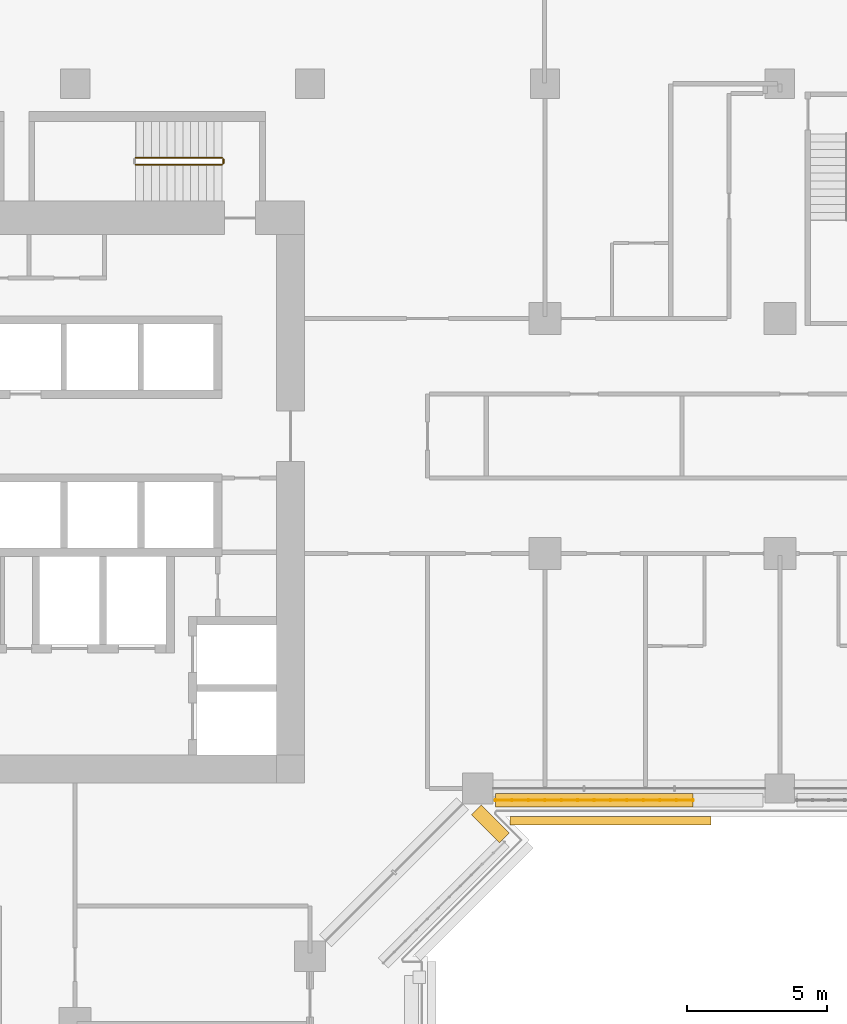
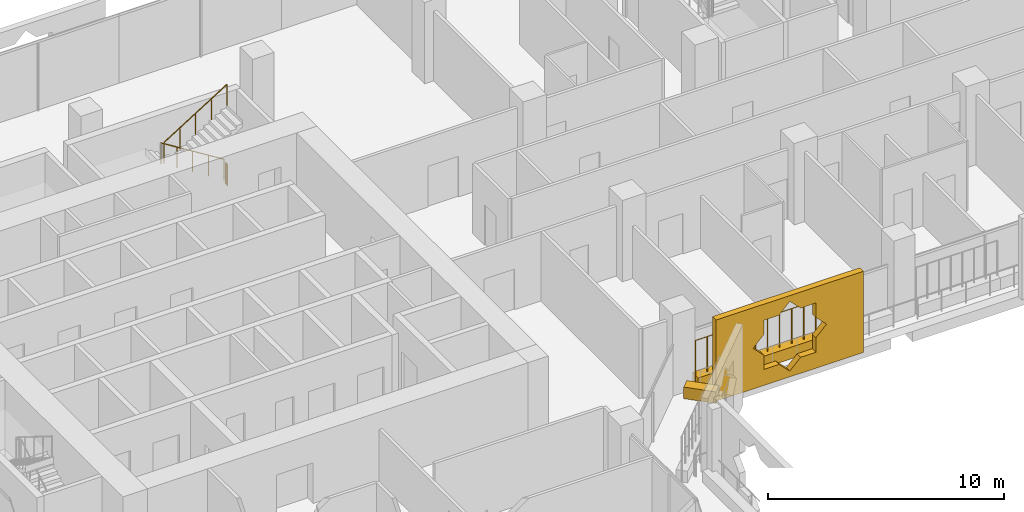
# One storey, part 22 of 25: 4 railings, 3 coverings.
"""IFC4 building model written with IfcOpenShell, lengths in metres."""

from ifc_helpers import new_model, si_unit, direction, frame, origin, origin_2d, place, context, subcontext, project, spatial, polyline, rectangle, circle, outline, extrude, material, material_profile, profile_set, type_object, element, save


model = new_model("IFC4")

# Units and contexts
model_context = context("Model", 3, precision=1e-05, world=origin(), true_north=direction((0.0, 1.0)))
body_context = subcontext(model_context, "Body", "Model", "MODEL_VIEW")
ifc_project = project(units=[si_unit("LENGTHUNIT", "METRE"), si_unit("AREAUNIT", "SQUARE_METRE"), si_unit("VOLUMEUNIT", "CUBIC_METRE"), si_unit("PLANEANGLEUNIT", "RADIAN"), si_unit("MASSUNIT", "GRAM", prefix="KILO")], contexts=[model_context])

# Site, building, storey
site_placement = place(None, origin())
site = spatial("IfcSite", under=ifc_project, at=site_placement, CompositionType="ELEMENT")
building_placement = place(site_placement, origin())
building = spatial("IfcBuilding", under=site, at=building_placement, Name="Kawkab Arch Medical Tower", CompositionType="ELEMENT")
storey_placement = place(building_placement, frame((0.0, 0.0, 136.60009765625)))
storey = spatial("IfcBuildingStorey", under=building, at=storey_placement, Name="L31", CompositionType="ELEMENT", Elevation=136.60009765625)

# Coverings
ifc_material_1 = material(Name="Bronze anodised aluminium mashrabiya panel, eight-point star pattern", Category="aluminium")
ifc_material_profile_1 = material_profile(ifc_material_1, outline(polyline([(-3.60009765625, -2.10009765625), (3.60009765625, -2.10009765625), (3.60009765625, 2.10009765625), (-3.60009765625, 2.10009765625), (-3.60009765625, -2.10009765625)]), holes=[polyline([(1.800048828125, 0.0), (1.272705078125, 0.527099609375), (1.272705078125, 1.272705078125), (0.527099609375, 1.272705078125), (0.0, 1.800048828125), (-0.527099609375, 1.272705078125), (-1.272705078125, 1.272705078125), (-1.272705078125, 0.527099609375), (-1.800048828125, 0.0), (-1.272705078125, -0.527099609375), (-1.272705078125, -1.272705078125), (-0.527099609375, -1.272705078125), (0.0, -1.800048828125), (0.527099609375, -1.272705078125), (1.272705078125, -1.272705078125), (1.272705078125, -0.527099609375), (1.800048828125, 0.0)])]), Name="Mashrabiya panel 7200x4200")
ifc_profile_set_1 = profile_set([ifc_material_profile_1], Name="Bronze anodised aluminium mashrabiya panel, eight-point star pattern")
covering_type_1 = type_object("IfcCoveringType", Name="Mashrabiya panel 7200 x 4200", PredefinedType="USERDEFINED", material=ifc_profile_set_1)
covering_1_placement = place(storey_placement, frame((35.944580078125, -26.199951171875, 1.699951171875), z_axis=(0.0, -1.0, 0.0), x_axis=(1.0, 0.0, 0.0)))
element("IfcCovering", 1, at=covering_1_placement, inside=storey, type_object=covering_type_1, Name="Mashrabiya panel L31.LOG-01-01.13", ObjectType="SCREEN", PredefinedType="USERDEFINED", context=body_context, shape_type="SweptSolid", body=[
    extrude(outline(polyline([(-3.60009765625, -2.10009765625), (3.60009765625, -2.10009765625), (3.60009765625, 2.10009765625), (-3.60009765625, 2.10009765625), (-3.60009765625, -2.10009765625)]), holes=[polyline([(1.800048828125, 0.0), (1.272705078125, 0.527099609375), (1.272705078125, 1.272705078125), (0.527099609375, 1.272705078125), (0.0, 1.800048828125), (-0.527099609375, 1.272705078125), (-1.272705078125, 1.272705078125), (-1.272705078125, 0.527099609375), (-1.800048828125, 0.0), (-1.272705078125, -0.527099609375), (-1.272705078125, -1.272705078125), (-0.527099609375, -1.272705078125), (0.0, -1.800048828125), (0.527099609375, -1.272705078125), (1.272705078125, -1.272705078125), (1.272705078125, -0.527099609375), (1.800048828125, 0.0)])]), origin(), (0.0, 0.0, 1.0), 0.300048828125),
])
ifc_material_2 = material(Name="Planting soil in a precast trough", Category="concrete")
ifc_material_profile_2 = material_profile(ifc_material_2, rectangle(XDim=0.5, YDim=0.60009765625, at=origin_2d()), Name="Trough 500x600")
ifc_profile_set_2 = profile_set([ifc_material_profile_2], Name="Planting soil in a precast trough")
covering_type_2 = type_object("IfcCoveringType", Name="Planter trough 500 x 600", PredefinedType="USERDEFINED", material=ifc_profile_set_2)
covering_2_placement = place(storey_placement, frame((38.89306640625, -25.6201171875, 0.2998046875), z_axis=(-1.0, 0.0, 0.0), x_axis=(0.0, -1.0, 0.0)))
element("IfcCovering", 2, at=covering_2_placement, inside=storey, type_object=covering_type_2, Name="Planter L31.LOG-01-01.41", ObjectType="PLANTER", PredefinedType="USERDEFINED", context=body_context, shape_type="SweptSolid", body=[
    extrude(rectangle(XDim=0.5, YDim=0.60009765625, at=origin_2d()), origin(), (0.0, 0.0, 1.0), 7.06298828125),
])
covering_3_placement = place(storey_placement, frame((31.14306640625, -25.962890625, 0.2998046875), z_axis=(0.707020805532, -0.707192746389, 0.0), x_axis=(0.707192746389, 0.707020805532, 0.0)))
element("IfcCovering", 3, at=covering_3_placement, inside=storey, type_object=covering_type_2, Name="Planter L31.LOG-01-01.42", ObjectType="PLANTER", PredefinedType="USERDEFINED", context=body_context, shape_type="SweptSolid", body=[
    extrude(rectangle(XDim=0.5, YDim=0.60009765625, at=origin_2d()), origin(), (0.0, 0.0, 1.0), 1.419921875),
])

# Railings
ifc_material_3 = material(Name="Bronze anodised aluminium trellis for climbing plants", Category="aluminium")
railing_type_1 = type_object("IfcRailingType", Name="Planting trellis 2400", PredefinedType="USERDEFINED", material=ifc_material_3)
railing_1_placement = place(storey_placement, frame((38.89306640625, -25.6201171875, 0.0)))
element("IfcRailing", 4, at=railing_1_placement, inside=storey, type_object=railing_type_1, Name="Planting trellis L31.LOG-01-01.41", ObjectType="TRELLIS", PredefinedType="USERDEFINED", context=body_context, shape_type="SweptSolid", body=[
    extrude(circle(Radius=0.01513671875, at=origin_2d()), frame((0.0, 0.0, 2.384765625), z_axis=(-1.0, 0.0, 0.0), x_axis=(0.0, -1.0, 0.0)), (0.0, 0.0, 1.0), 7.06298828125),
    extrude(circle(Radius=0.030029296875, at=origin_2d()), origin(), (0.0, 0.0, 1.0), 2.369873046875),
    extrude(circle(Radius=0.030029296875, at=origin_2d()), frame((-0.588623046875, 0.0, 0.0)), (0.0, 0.0, 1.0), 2.369873046875),
    extrude(circle(Radius=0.030029296875, at=origin_2d()), frame((-1.17724609375, 0.0, 0.0)), (0.0, 0.0, 1.0), 2.369873046875),
    extrude(circle(Radius=0.030029296875, at=origin_2d()), frame((-1.765625, 0.0, 0.0)), (0.0, 0.0, 1.0), 2.369873046875),
    extrude(circle(Radius=0.030029296875, at=origin_2d()), frame((-2.354248046875, 0.0, 0.0)), (0.0, 0.0, 1.0), 2.369873046875),
    extrude(circle(Radius=0.030029296875, at=origin_2d()), frame((-2.94287109375, 0.0, 0.0)), (0.0, 0.0, 1.0), 2.369873046875),
    extrude(circle(Radius=0.030029296875, at=origin_2d()), frame((-3.531494140625, 0.0, 0.0)), (0.0, 0.0, 1.0), 2.369873046875),
    extrude(circle(Radius=0.030029296875, at=origin_2d()), frame((-4.1201171875, 0.0, 0.0)), (0.0, 0.0, 1.0), 2.369873046875),
    extrude(circle(Radius=0.030029296875, at=origin_2d()), frame((-4.708740234375, 0.0, 0.0)), (0.0, 0.0, 1.0), 2.369873046875),
    extrude(circle(Radius=0.030029296875, at=origin_2d()), frame((-5.29736328125, 0.0, 0.0)), (0.0, 0.0, 1.0), 2.369873046875),
    extrude(circle(Radius=0.030029296875, at=origin_2d()), frame((-5.8857421875, 0.0, 0.0)), (0.0, 0.0, 1.0), 2.369873046875),
    extrude(circle(Radius=0.030029296875, at=origin_2d()), frame((-6.474365234375, 0.0, 0.0)), (0.0, 0.0, 1.0), 2.369873046875),
    extrude(circle(Radius=0.030029296875, at=origin_2d()), frame((-7.06298828125, 0.0, 0.0)), (0.0, 0.0, 1.0), 2.369873046875),
])
ifc_material_4 = material(Name="Stainless steel", Category="steel")
railing_type_2 = type_object("IfcRailingType", Name="Stair guard 1100", PredefinedType="GUARDRAIL", material=ifc_material_4)
railing_2_placement = place(storey_placement, frame((22.050048828125, -2.64990234375, 0.1748046875)))
element("IfcRailing", 5, at=railing_2_placement, inside=storey, type_object=railing_type_2, Name="L31 ST4 stair guard 1", PredefinedType="GUARDRAIL", context=body_context, shape_type="SweptSolid", body=[
    extrude(circle(Radius=0.02392578125, at=origin_2d()), frame((0.0, 0.0, 1.076171875), z_axis=(-0.847998304005, 0.0, 0.529998940003), x_axis=(0.0, -1.0, 0.0)), (0.0, 0.0, 1.0), 3.632080078125),
    extrude(circle(Radius=0.02099609375, at=origin_2d()), origin(), (0.0, 0.0, 1.0), 1.052001953125),
    extrude(circle(Radius=0.02099609375, at=origin_2d()), frame((-0.77001953125, 0.0, 0.481201171875)), (0.0, 0.0, 1.0), 1.052001953125),
    extrude(circle(Radius=0.02099609375, at=origin_2d()), frame((-1.5400390625, 0.0, 0.96240234375)), (0.0, 0.0, 1.0), 1.052001953125),
    extrude(circle(Radius=0.02099609375, at=origin_2d()), frame((-2.31005859375, 0.0, 1.44384765625)), (0.0, 0.0, 1.0), 1.052001953125),
    extrude(circle(Radius=0.02099609375, at=origin_2d()), frame((-3.080078125, 0.0, 1.925048828125)), (0.0, 0.0, 1.0), 1.052001953125),
])
railing_3_placement = place(storey_placement, frame((18.969970703125, -2.89990234375, 2.27490234375)))
element("IfcRailing", 6, at=railing_3_placement, inside=storey, type_object=railing_type_2, Name="L31 ST4 stair guard 3", PredefinedType="GUARDRAIL", context=body_context, shape_type="SweptSolid", body=[
    extrude(circle(Radius=0.02392578125, at=origin_2d()), frame((0.0, 0.0, 1.076171875), z_axis=(0.847998304005, 0.0, 0.529998940003), x_axis=(0.0, 1.0, 0.0)), (0.0, 0.0, 1.0), 3.632080078125),
    extrude(circle(Radius=0.02099609375, at=origin_2d()), origin(), (0.0, 0.0, 1.0), 1.052001953125),
    extrude(circle(Radius=0.02099609375, at=origin_2d()), frame((0.77001953125, 0.0, 0.481201171875)), (0.0, 0.0, 1.0), 1.052001953125),
    extrude(circle(Radius=0.02099609375, at=origin_2d()), frame((1.5400390625, 0.0, 0.96240234375)), (0.0, 0.0, 1.0), 1.052001953125),
    extrude(circle(Radius=0.02099609375, at=origin_2d()), frame((2.31005859375, 0.0, 1.44384765625)), (0.0, 0.0, 1.0), 1.052001953125),
    extrude(circle(Radius=0.02099609375, at=origin_2d()), frame((3.080078125, 0.0, 1.925048828125)), (0.0, 0.0, 1.0), 1.052001953125),
])
railing_4_placement = place(storey_placement, frame((22.10009765625, -2.699951171875, 0.0)))
element("IfcRailing", 7, at=railing_4_placement, inside=storey, type_object=railing_type_2, Name="L31 ST4 stair guard 4", PredefinedType="GUARDRAIL", context=body_context, shape_type="SweptSolid", body=[
    extrude(circle(Radius=0.02392578125, at=origin_2d()), frame((0.0, 0.0, 1.076171875), z_axis=(0.0, -1.0, 0.0), x_axis=(1.0, 0.0, 0.0)), (0.0, 0.0, 1.0), 0.150146484375),
    extrude(circle(Radius=0.02099609375, at=origin_2d()), origin(), (0.0, 0.0, 1.0), 1.052001953125),
    extrude(circle(Radius=0.02099609375, at=origin_2d()), frame((0.0, -0.150146484375, 0.0)), (0.0, 0.0, 1.0), 1.052001953125),
])

save(model, "model.ifc")
